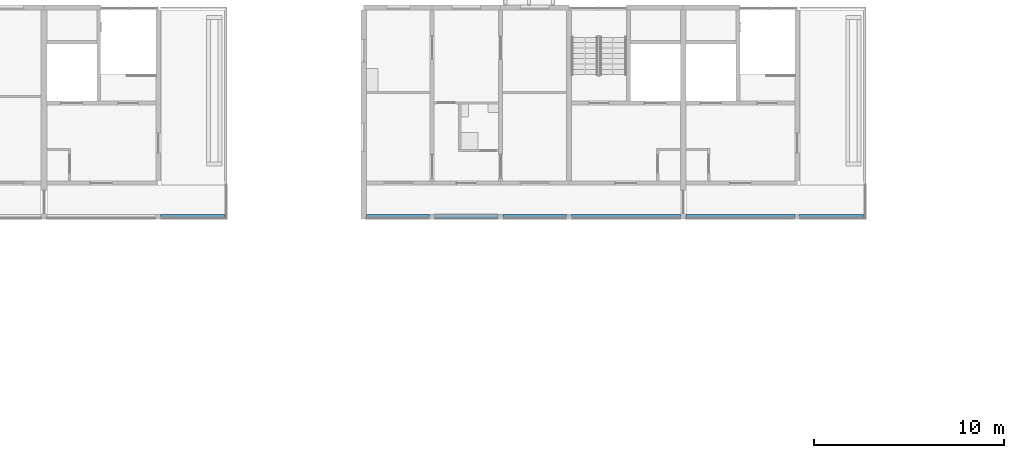
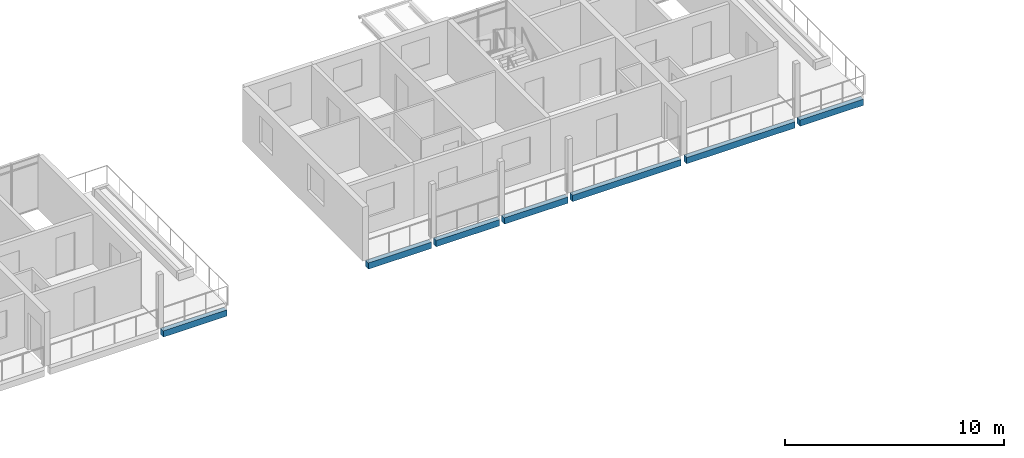
# One storey, part 20 of 87: 7 beams.
"""IFC4 building model written with IfcOpenShell, lengths in metres."""

from ifc_helpers import new_model, si_unit, direction, frame, origin, origin_2d, place, context, subcontext, project, spatial, rectangle, extrude, material, material_profile, profile_set, type_object, element, save


model = new_model("IFC4")

# Units and contexts
model_context = context("Model", 3, precision=1e-05, world=origin(), true_north=direction((0.0, 1.0)))
body_context = subcontext(model_context, "Body", "Model", "MODEL_VIEW")
ifc_project = project(units=[si_unit("LENGTHUNIT", "METRE"), si_unit("AREAUNIT", "SQUARE_METRE"), si_unit("VOLUMEUNIT", "CUBIC_METRE"), si_unit("PLANEANGLEUNIT", "RADIAN"), si_unit("MASSUNIT", "GRAM", prefix="KILO")], contexts=[model_context])

# Site, building, storey
site_placement = place(None, origin())
site = spatial("IfcSite", under=ifc_project, at=site_placement, CompositionType="ELEMENT")
building_placement = place(site_placement, origin())
building = spatial("IfcBuilding", under=site, at=building_placement, Name="Ridgestep Commons", CompositionType="ELEMENT")
storey_placement = place(building_placement, frame((0.0, 0.0, 27.0)))
storey = spatial("IfcBuildingStorey", under=building, at=storey_placement, Name="L09", CompositionType="ELEMENT", Elevation=27.0)

# Beams
ifc_material = material(Name="Precast concrete C40/50", Category="concrete")
ifc_material_profile = material_profile(ifc_material, rectangle(XDim=0.25, YDim=0.35009765625, at=origin_2d()), Name="PC 250x350")
ifc_profile_set = profile_set([ifc_material_profile], Name="Precast concrete C40/50")
beam_type = type_object("IfcBeamType", Name="Loggia edge beam 250 x 350", PredefinedType="SPANDREL", material=ifc_profile_set)
beam_1_placement = place(storey_placement, frame((203.324951171875, 66.125, -0.375), z_axis=(1.0, 0.0, 0.0), x_axis=(0.0, 1.0, 0.0)))
element("IfcBeam", 1, at=beam_1_placement, inside=storey, type_object=beam_type, Name="Loggia edge beam C4T3 L09", PredefinedType="SPANDREL", context=body_context, shape_type="SweptSolid", body=[
    extrude(rectangle(XDim=0.25, YDim=0.35009765625, at=origin_2d()), origin(), (0.0, 0.0, 1.0), 3.35009765625),
])
beam_2_placement = place(storey_placement, frame((214.14990234375, 66.125, -0.375), z_axis=(1.0, 0.0, 0.0), x_axis=(0.0, 1.0, 0.0)))
element("IfcBeam", 2, at=beam_2_placement, inside=storey, type_object=beam_type, Name="Loggia edge beam C5T1 L09", PredefinedType="SPANDREL", context=body_context, shape_type="SweptSolid", body=[
    extrude(rectangle(XDim=0.25, YDim=0.35009765625, at=origin_2d()), origin(), (0.0, 0.0, 1.0), 3.3251953125),
])
beam_3_placement = place(storey_placement, frame((217.72509765625, 66.125, -0.375), z_axis=(1.0, 0.0, 0.0), x_axis=(0.0, 1.0, 0.0)))
element("IfcBeam", 3, at=beam_3_placement, inside=storey, type_object=beam_type, Name="Loggia edge beam C5T2 L09", PredefinedType="SPANDREL", context=body_context, shape_type="SweptSolid", body=[
    extrude(rectangle(XDim=0.25, YDim=0.35009765625, at=origin_2d()), origin(), (0.0, 0.0, 1.0), 3.349853515625),
])
beam_4_placement = place(storey_placement, frame((221.324951171875, 66.125, -0.375), z_axis=(1.0, 0.0, 0.0), x_axis=(0.0, 1.0, 0.0)))
element("IfcBeam", 4, at=beam_4_placement, inside=storey, type_object=beam_type, Name="Loggia edge beam C5T3 L09", PredefinedType="SPANDREL", context=body_context, shape_type="SweptSolid", body=[
    extrude(rectangle(XDim=0.25, YDim=0.35009765625, at=origin_2d()), origin(), (0.0, 0.0, 1.0), 3.35009765625),
])
beam_5_placement = place(storey_placement, frame((224.925048828125, 66.125, -0.375), z_axis=(1.0, 0.0, 0.0), x_axis=(0.0, 1.0, 0.0)))
element("IfcBeam", 5, at=beam_5_placement, inside=storey, type_object=beam_type, Name="Loggia edge beam C5C L09", PredefinedType="SPANDREL", context=body_context, shape_type="SweptSolid", body=[
    extrude(rectangle(XDim=0.25, YDim=0.35009765625, at=origin_2d()), origin(), (0.0, 0.0, 1.0), 5.724853515625),
])
beam_6_placement = place(storey_placement, frame((230.949951171875, 66.125, -0.375), z_axis=(1.0, 0.0, 0.0), x_axis=(0.0, 1.0, 0.0)))
element("IfcBeam", 6, at=beam_6_placement, inside=storey, type_object=beam_type, Name="Loggia edge beam C6C L09", PredefinedType="SPANDREL", context=body_context, shape_type="SweptSolid", body=[
    extrude(rectangle(XDim=0.25, YDim=0.35009765625, at=origin_2d()), origin(), (0.0, 0.0, 1.0), 5.72509765625),
])
beam_7_placement = place(storey_placement, frame((236.925048828125, 66.125, -0.375), z_axis=(1.0, 0.0, 0.0), x_axis=(0.0, 1.0, 0.0)))
element("IfcBeam", 7, at=beam_7_placement, inside=storey, type_object=beam_type, Name="Loggia edge beam C6T3 L09", PredefinedType="SPANDREL", context=body_context, shape_type="SweptSolid", body=[
    extrude(rectangle(XDim=0.25, YDim=0.35009765625, at=origin_2d()), origin(), (0.0, 0.0, 1.0), 3.349853515625),
])

save(model, "model.ifc")
